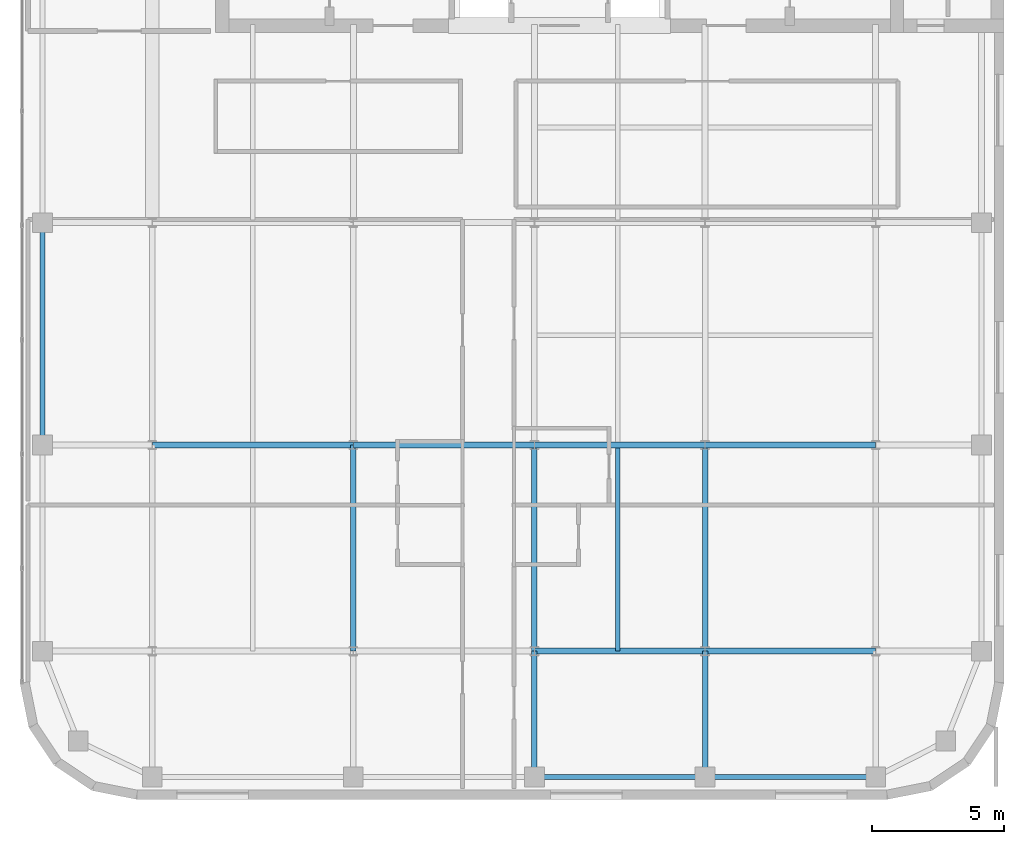
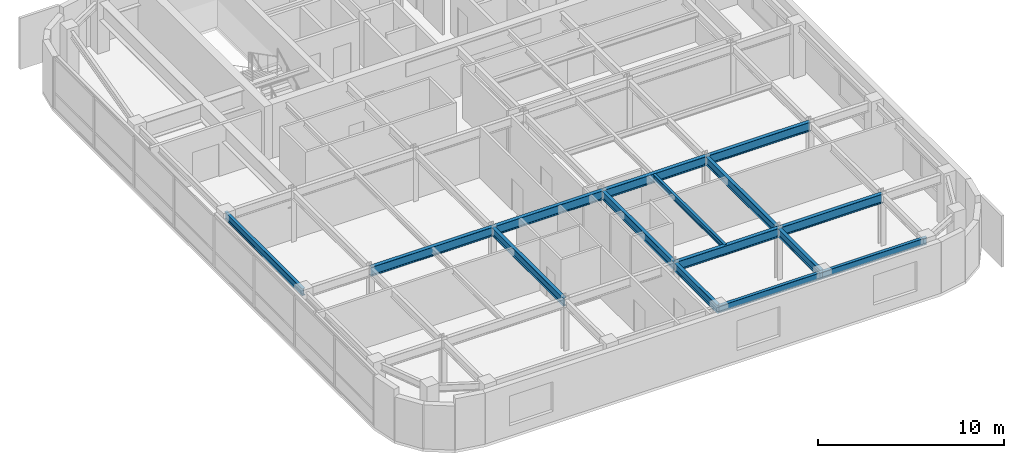
# One storey, part 6 of 19: 15 beams.
"""IFC4 building model written with IfcOpenShell, lengths in metres."""

from ifc_helpers import new_model, si_unit, direction, frame, origin, origin_2d, place, context, subcontext, project, spatial, i_section, extrude, source, transform, mapped, material, material_profile, profile_set, type_object, type_shapes, element, save


model = new_model("IFC4")

# Units and contexts
model_context = context("Model", 3, precision=1e-05, world=origin(), true_north=direction((0.0, 1.0)))
body_context = subcontext(model_context, "Body", "Model", "MODEL_VIEW")
ifc_project = project(units=[si_unit("LENGTHUNIT", "METRE"), si_unit("AREAUNIT", "SQUARE_METRE"), si_unit("VOLUMEUNIT", "CUBIC_METRE"), si_unit("PLANEANGLEUNIT", "RADIAN"), si_unit("MASSUNIT", "GRAM", prefix="KILO")], contexts=[model_context])

# Site, building, storey
site_placement = place(None, origin())
site = spatial("IfcSite", under=ifc_project, at=site_placement, CompositionType="ELEMENT")
building_placement = place(site_placement, origin())
building = spatial("IfcBuilding", under=site, at=building_placement, Name="Tolvann Quenvar Hotel", CompositionType="ELEMENT")
storey_placement = place(building_placement, frame((0.0, 0.0, 223.89990234375)))
storey = spatial("IfcBuildingStorey", under=building, at=storey_placement, Name="L59", CompositionType="ELEMENT", Elevation=223.89990234375)

# Beams
ifc_material = material(Name="Steel Grade 350", Category="steel")
ifc_material_profile_1 = material_profile(ifc_material, i_section(OverallWidth=0.208984375, OverallDepth=0.532958984375, WebThickness=0.01025390625, FlangeThickness=0.015625, FilletRadius=0.013916015625, at=origin_2d()), Name="530UB92")
ifc_profile_set_1 = profile_set([ifc_material_profile_1], Name="Steel Grade 350")
beam_type_1 = type_object("IfcBeamType", Name="BM_GIRD_530UB92", PredefinedType="BEAM", material=ifc_profile_set_1)
shared_shape_1 = source(origin(), body_context, "Body", "SweptSolid", [
    extrude(i_section(OverallWidth=0.208984375, OverallDepth=0.532958984375, WebThickness=0.01025390625, FlangeThickness=0.015625, FilletRadius=0.013916015625, at=origin_2d()), origin(), (0.0, 0.0, 1.0), 7.800048828125),
])
for number, where, z_axis, x_axis, name in (
    (1, (15.199951171875, 8.199951171875, 3.103515625), (0.0, 1.0, 0.0), (-1.0, 0.0, 0.0), "BM-L59-NS-D3-D4"),
    (2, (22.050048828125, 8.199951171875, 3.103515625), (0.0, 1.0, 0.0), (-1.0, 0.0, 0.0), "BM-L59-NS-E3-E4"),
    (3, (28.5, 8.199951171875, 3.103515625), (0.0, 1.0, 0.0), (-1.0, 0.0, 0.0), "BM-L59-NS-M3-M4"),
):
    element("IfcBeam", number, at=place(storey_placement, frame(where, z_axis=z_axis, x_axis=x_axis)), inside=storey, type_object=beam_type_1, Name=name, PredefinedType="BEAM", context=body_context, shape_type="MappedRepresentation", body=[
        mapped(shared_shape_1, transform((0.0, 0.0, 0.0), x_axis=(1.0, 0.0, 0.0), y_axis=(0.0, 1.0, 0.0), z_axis=(0.0, 0.0, 1.0), scale=1.0)),
    ])
ifc_material_profile_2 = material_profile(ifc_material, i_section(OverallWidth=0.22802734375, OverallDepth=0.60205078125, WebThickness=0.010498046875, FlangeThickness=0.014892578125, FilletRadius=0.013916015625, at=origin_2d()), Name="610UB101")
ifc_profile_set_2 = profile_set([ifc_material_profile_2], Name="Steel Grade 350")
beam_type_2 = type_object("IfcBeamType", Name="BM_GIRD_610UB101", PredefinedType="BEAM", material=ifc_profile_set_2)
shared_shape_2 = source(origin(), body_context, "Body", "SweptSolid", [
    extrude(i_section(OverallWidth=0.22802734375, OverallDepth=0.60205078125, WebThickness=0.010498046875, FlangeThickness=0.014892578125, FilletRadius=0.013916015625, at=origin_2d()), origin(), (0.0, 0.0, 1.0), 7.599853515625),
])
beam_1_placement = place(storey_placement, frame((7.60009765625, 16.0, 3.069091796875), z_axis=(1.0, 0.0, 0.0), x_axis=(0.0, 1.0, 0.0)))
element("IfcBeam", 4, at=beam_1_placement, inside=storey, type_object=beam_type_2, Name="BM-L59-EW-4-C4-D4", PredefinedType="BEAM", context=body_context, shape_type="MappedRepresentation", body=[
    mapped(shared_shape_2, transform((0.0, 0.0, 0.0), x_axis=(1.0, 0.0, 0.0), y_axis=(0.0, 1.0, 0.0), z_axis=(0.0, 0.0, 1.0), scale=1.0)),
])
shared_shape_3 = source(origin(), body_context, "Body", "SweptSolid", [
    extrude(i_section(OverallWidth=0.22802734375, OverallDepth=0.60205078125, WebThickness=0.010498046875, FlangeThickness=0.014892578125, FilletRadius=0.013916015625, at=origin_2d()), origin(), (0.0, 0.0, 1.0), 6.85009765625),
])
beam_2_placement = place(storey_placement, frame((15.199951171875, 16.0, 3.069091796875), z_axis=(1.0, 0.0, 0.0), x_axis=(0.0, 1.0, 0.0)))
element("IfcBeam", 5, at=beam_2_placement, inside=storey, type_object=beam_type_2, Name="BM-L59-EW-4-D4-E4", PredefinedType="BEAM", context=body_context, shape_type="MappedRepresentation", body=[
    mapped(shared_shape_3, transform((0.0, 0.0, 0.0), x_axis=(1.0, 0.0, 0.0), y_axis=(0.0, 1.0, 0.0), z_axis=(0.0, 0.0, 1.0), scale=1.0)),
])
shared_shape_4 = source(origin(), body_context, "Body", "SweptSolid", [
    extrude(i_section(OverallWidth=0.22802734375, OverallDepth=0.60205078125, WebThickness=0.010498046875, FlangeThickness=0.014892578125, FilletRadius=0.013916015625, at=origin_2d()), origin(), (0.0, 0.0, 1.0), 6.449951171875),
])
type_shapes(beam_type_2, [shared_shape_2, shared_shape_3, shared_shape_4])
for number, where, z_axis, x_axis, name in (
    (6, (22.050048828125, 8.199951171875, 3.069091796875), (1.0, 0.0, 0.0), (0.0, 1.0, 0.0), "BM-L59-EW-3-E3-M3"),
    (7, (28.5, 8.199951171875, 3.069091796875), (1.0, 0.0, 0.0), (0.0, 1.0, 0.0), "BM-L59-EW-3-M3-F3"),
    (8, (22.050048828125, 16.0, 3.069091796875), (1.0, 0.0, 0.0), (0.0, 1.0, 0.0), "BM-L59-EW-4-E4-M4"),
    (9, (28.5, 16.0, 3.069091796875), (1.0, 0.0, 0.0), (0.0, 1.0, 0.0), "BM-L59-EW-4-M4-F4"),
):
    element("IfcBeam", number, at=place(storey_placement, frame(where, z_axis=z_axis, x_axis=x_axis)), inside=storey, type_object=beam_type_2, Name=name, PredefinedType="BEAM", context=body_context, shape_type="MappedRepresentation", body=[
        mapped(shared_shape_4, transform((0.0, 0.0, 0.0), x_axis=(1.0, 0.0, 0.0), y_axis=(0.0, 1.0, 0.0), z_axis=(0.0, 0.0, 1.0), scale=1.0)),
    ])
shared_shape_5 = source(origin(), body_context, "Body", "SweptSolid", [
    extrude(i_section(OverallWidth=0.208984375, OverallDepth=0.532958984375, WebThickness=0.01025390625, FlangeThickness=0.015625, FilletRadius=0.013916015625, at=origin_2d()), origin(), (0.0, 0.0, 1.0), 4.75),
])
type_shapes(beam_type_1, [shared_shape_1, shared_shape_5])
for number, where, z_axis, x_axis, name in (
    (10, (22.050048828125, 3.449951171875, 3.103515625), (0.0, 1.0, 0.0), (-1.0, 0.0, 0.0), "BM-L59-NS-E2-E3"),
    (11, (28.5, 3.449951171875, 3.103515625), (0.0, 1.0, 0.0), (-1.0, 0.0, 0.0), "BM-L59-NS-M2-M3"),
):
    element("IfcBeam", number, at=place(storey_placement, frame(where, z_axis=z_axis, x_axis=x_axis)), inside=storey, type_object=beam_type_1, Name=name, PredefinedType="BEAM", context=body_context, shape_type="MappedRepresentation", body=[
        mapped(shared_shape_5, transform((0.0, 0.0, 0.0), x_axis=(1.0, 0.0, 0.0), y_axis=(0.0, 1.0, 0.0), z_axis=(0.0, 0.0, 1.0), scale=1.0)),
    ])
ifc_material_profile_3 = material_profile(ifc_material, i_section(OverallWidth=0.172119140625, OverallDepth=0.35888671875, WebThickness=0.008056640625, FlangeThickness=0.012939453125, FilletRadius=0.011474609375, at=origin_2d()), Name="360UB57")
ifc_profile_set_3 = profile_set([ifc_material_profile_3], Name="Steel Grade 350")
beam_type_3 = type_object("IfcBeamType", Name="BM_JOIST_360UB57", PredefinedType="JOIST", material=ifc_profile_set_3)
shared_shape_6 = source(origin(), body_context, "Body", "SweptSolid", [
    extrude(i_section(OverallWidth=0.172119140625, OverallDepth=0.35888671875, WebThickness=0.008056640625, FlangeThickness=0.012939453125, FilletRadius=0.011474609375, at=origin_2d()), origin(), (0.0, 0.0, 1.0), 7.692138671875),
])
type_shapes(beam_type_3, [shared_shape_6])
beam_3_placement = place(storey_placement, frame((25.199951171875, 8.199951171875, 3.190673828125), z_axis=(0.0, 1.0, 0.0), x_axis=(-1.0, 0.0, 0.0)))
element("IfcBeam", 12, at=beam_3_placement, inside=storey, type_object=beam_type_3, Name="BJ-L59-252-82", PredefinedType="JOIST", context=body_context, shape_type="MappedRepresentation", body=[
    mapped(shared_shape_6, transform((0.0, 0.0, 0.0), x_axis=(1.0, 0.0, 0.0), y_axis=(0.0, 1.0, 0.0), z_axis=(0.0, 0.0, 1.0), scale=1.0)),
])
ifc_material_profile_4 = material_profile(ifc_material, i_section(OverallWidth=0.19091796875, OverallDepth=0.4599609375, WebThickness=0.010009765625, FlangeThickness=0.01611328125, FilletRadius=0.011474609375, at=origin_2d()), Name="460UB82")
ifc_profile_set_4 = profile_set([ifc_material_profile_4], Name="Steel Grade 350")
beam_type_4 = type_object("IfcBeamType", Name="BM_SPAND_460UB82", PredefinedType="SPANDREL", material=ifc_profile_set_4)
shared_shape_7 = source(origin(), body_context, "Body", "SweptSolid", [
    extrude(i_section(OverallWidth=0.19091796875, OverallDepth=0.4599609375, WebThickness=0.010009765625, FlangeThickness=0.01611328125, FilletRadius=0.011474609375, at=origin_2d()), origin(), (0.0, 0.0, 1.0), 6.449951171875),
])
for number, where, z_axis, x_axis, name in (
    (13, (22.050048828125, 3.449951171875, 3.14013671875), (1.0, 0.0, 0.0), (0.0, 1.0, 0.0), "BM-L59-EW-2-E2-M2"),
    (14, (28.5, 3.449951171875, 3.14013671875), (1.0, 0.0, 0.0), (0.0, 1.0, 0.0), "BM-L59-EW-2-M2-F2"),
):
    element("IfcBeam", number, at=place(storey_placement, frame(where, z_axis=z_axis, x_axis=x_axis)), inside=storey, type_object=beam_type_4, Name=name, PredefinedType="SPANDREL", context=body_context, shape_type="MappedRepresentation", body=[
        mapped(shared_shape_7, transform((0.0, 0.0, 0.0), x_axis=(1.0, 0.0, 0.0), y_axis=(0.0, 1.0, 0.0), z_axis=(0.0, 0.0, 1.0), scale=1.0)),
    ])
shared_shape_8 = source(origin(), body_context, "Body", "SweptSolid", [
    extrude(i_section(OverallWidth=0.19091796875, OverallDepth=0.4599609375, WebThickness=0.010009765625, FlangeThickness=0.01611328125, FilletRadius=0.011474609375, at=origin_2d()), origin(), (0.0, 0.0, 1.0), 8.39990234375),
])
type_shapes(beam_type_4, [shared_shape_7, shared_shape_8])
beam_4_placement = place(storey_placement, frame((3.449951171875, 16.0, 3.14013671875), z_axis=(0.0, 1.0, 0.0), x_axis=(-1.0, 0.0, 0.0)))
element("IfcBeam", 15, at=beam_4_placement, inside=storey, type_object=beam_type_4, Name="BM-L59-NS-B4-B5", PredefinedType="SPANDREL", context=body_context, shape_type="MappedRepresentation", body=[
    mapped(shared_shape_8, transform((0.0, 0.0, 0.0), x_axis=(1.0, 0.0, 0.0), y_axis=(0.0, 1.0, 0.0), z_axis=(0.0, 0.0, 1.0), scale=1.0)),
])

save(model, "model.ifc")
